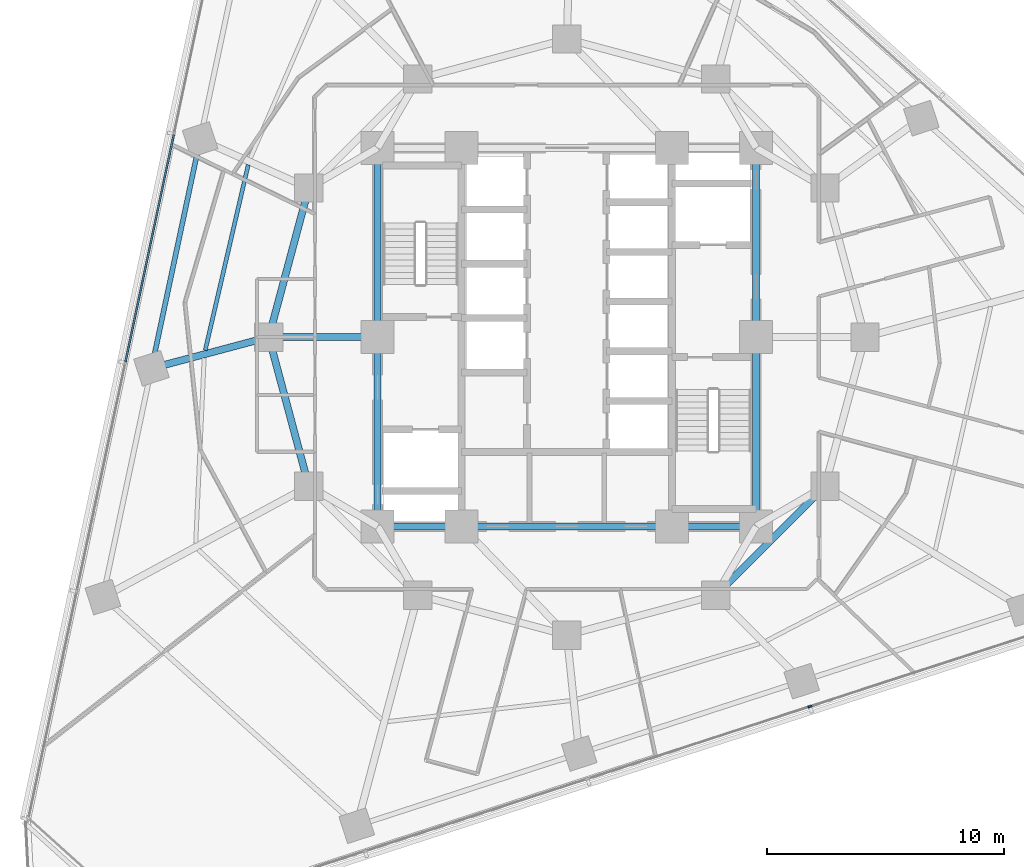
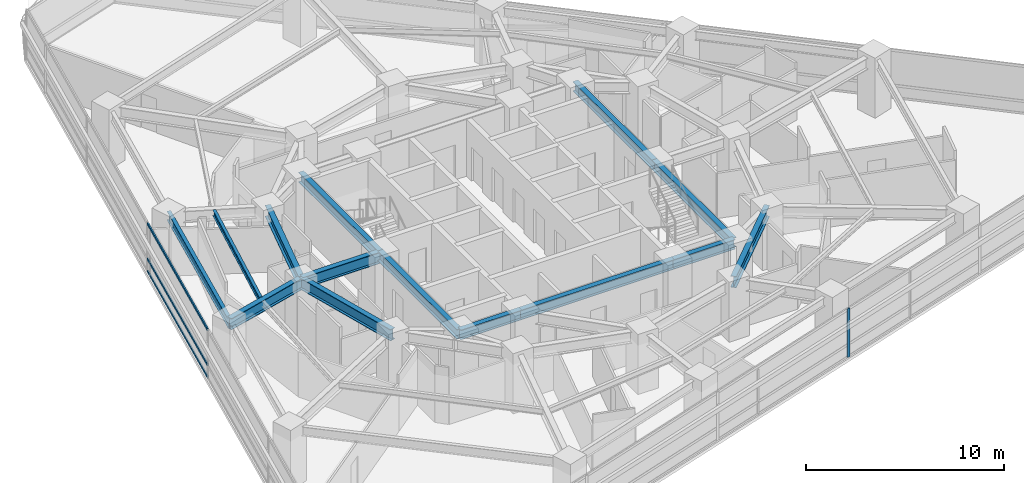
# One storey, part 3 of 13: 14 beams, 4 members, 2 elements without a shape of their own.
"""IFC4 building model written with IfcOpenShell, lengths in metres."""

from ifc_helpers import new_model, si_unit, direction, frame, origin, origin_2d, place, context, subcontext, project, spatial, rectangle, i_section, extrude, material, layer, layer_set, material_profile, profile_set, type_object, element, aggregate, save


model = new_model("IFC4")

# Units and contexts
model_context = context("Model", 3, precision=1e-05, world=origin(), true_north=direction((0.0, 1.0)))
body_context = subcontext(model_context, "Body", "Model", "MODEL_VIEW")
ifc_project = project(units=[si_unit("LENGTHUNIT", "METRE"), si_unit("AREAUNIT", "SQUARE_METRE"), si_unit("VOLUMEUNIT", "CUBIC_METRE"), si_unit("PLANEANGLEUNIT", "RADIAN"), si_unit("MASSUNIT", "GRAM", prefix="KILO")], contexts=[model_context])

# Site, building, storey
site_placement = place(None, origin())
site = spatial("IfcSite", under=ifc_project, at=site_placement, CompositionType="ELEMENT")
building_placement = place(site_placement, origin())
building = spatial("IfcBuilding", under=site, at=building_placement, Name="Terralouvre Media Tower", CompositionType="ELEMENT")
storey_placement = place(building_placement, frame((0.0, 0.0, 108.800048828125)))
storey = spatial("IfcBuildingStorey", under=building, at=storey_placement, Name="L27", CompositionType="ELEMENT", Elevation=108.800048828125)

# Beam
ifc_material_1 = material(Name="Structural steel S355J2", Category="steel")
ifc_material_profile_1 = material_profile(ifc_material_1, i_section(OverallWidth=0.169921875, OverallDepth=0.360107421875, WebThickness=0.008056640625, FlangeThickness=0.0126953125, at=origin_2d()), Name="IPE 360")
ifc_profile_set_1 = profile_set([ifc_material_profile_1], Name="Structural steel S355J2")
beam_type_1 = type_object("IfcBeamType", Name="Composite Floor Joist J-IPE360 (IPE 360)", PredefinedType="JOIST", material=ifc_profile_set_1)
beam_1_placement = place(storey_placement, frame((-13.47216796875, 7.28076171875, 3.320068359375), z_axis=(-0.225820426646, -0.974168945774, 0.0), x_axis=(0.974168945774, -0.225820426646, 0.0)))
element("IfcBeam", 1, at=beam_1_placement, inside=storey, type_object=beam_type_1, Name="L27 Framing Beam JT-L27-12", PredefinedType="JOIST", context=body_context, shape_type="SweptSolid", body=[
    extrude(i_section(OverallWidth=0.169921875, OverallDepth=0.360107421875, WebThickness=0.008056640625, FlangeThickness=0.0126953125, at=origin_2d()), origin(), (0.0, 0.0, 1.0), 8.05224609375),
])

# Curtain wall, members
ifc_material_2 = material(Name="Low-iron laminated double glazing with solar-control coating", Category="glass")
ifc_layer = layer(ifc_material_2, 0.1650390625, Name="Lower Media Tower Unitised Curtain Wall CW-02")
ifc_layer_set = layer_set([ifc_layer], Name="Low-iron laminated double glazing with solar-control coating")
curtain_wall_type = type_object("IfcCurtainWallType", Name="Lower Media Tower Unitised Curtain Wall CW-02", PredefinedType="NOTDEFINED", material=ifc_layer_set)
curtain_wall_1_placement = place(storey_placement, origin())
curtain_wall_1 = element("IfcCurtainWall", 2, at=curtain_wall_1_placement, inside=storey, type_object=curtain_wall_type, Name="L27 Facade Curtain Wall F2", PredefinedType="NOTDEFINED")
ifc_material_3 = material(Name="Anodised extruded aluminium 6063-T6", Category="aluminium")
ifc_material_profile_2 = material_profile(ifc_material_3, rectangle(XDim=0.074951171875, YDim=0.14990234375, at=origin_2d()), Name="ALU 75x150")
ifc_profile_set_2 = profile_set([ifc_material_profile_2], Name="Anodised extruded aluminium 6063-T6")
member_type_1 = type_object("IfcMemberType", Name="Curtain-Wall Horizontal Transom TR-150", PredefinedType="USERDEFINED", material=ifc_profile_set_2)
member_1_placement = place(storey_placement, frame((-16.617919921875, 8.54833984375, 0.037353515625), z_axis=(-0.207914695346, -0.978146962097, 0.0), x_axis=(0.978146962097, -0.207914695346, 0.0)))
member_1 = element("IfcMember", 3, at=member_1_placement, type_object=member_type_1, Name="CW-02 transom 3.1", ObjectType="TRANSOM", PredefinedType="USERDEFINED", context=body_context, shape_type="SweptSolid", body=[
    extrude(rectangle(XDim=0.074951171875, YDim=0.14990234375, at=origin_2d()), origin(), (0.0, 0.0, 1.0), 9.81298828125),
])
member_2_placement = place(storey_placement, frame((-16.617919921875, 8.54833984375, 0.800048828125), z_axis=(-0.207914695346, -0.978146962097, 0.0), x_axis=(0.978146962097, -0.207914695346, 0.0)))
member_2 = element("IfcMember", 4, at=member_2_placement, type_object=member_type_1, Name="CW-02 transom 3.2", ObjectType="TRANSOM", PredefinedType="USERDEFINED", context=body_context, shape_type="SweptSolid", body=[
    extrude(rectangle(XDim=0.074951171875, YDim=0.14990234375, at=origin_2d()), origin(), (0.0, 0.0, 1.0), 9.81298828125),
])
member_3_placement = place(storey_placement, frame((-16.617919921875, 8.54833984375, 2.96240234375), z_axis=(-0.207914695346, -0.978146962097, 0.0), x_axis=(0.978146962097, -0.207914695346, 0.0)))
member_3 = element("IfcMember", 5, at=member_3_placement, type_object=member_type_1, Name="CW-02 transom 3.3", ObjectType="TRANSOM", PredefinedType="USERDEFINED", context=body_context, shape_type="SweptSolid", body=[
    extrude(rectangle(XDim=0.074951171875, YDim=0.14990234375, at=origin_2d()), origin(), (0.0, 0.0, 1.0), 9.81298828125),
])
aggregate(curtain_wall_1, [member_1, member_2, member_3])

# Curtain wall, member
curtain_wall_2_placement = place(storey_placement, origin())
curtain_wall_2 = element("IfcCurtainWall", 6, at=curtain_wall_2_placement, inside=storey, type_object=curtain_wall_type, Name="L27 Facade Curtain Wall F0", PredefinedType="NOTDEFINED")
ifc_material_4 = material(Name="Anodised extruded aluminium 6063-T6", Category="aluminium")
ifc_material_profile_3 = material_profile(ifc_material_4, rectangle(XDim=0.074951171875, YDim=0.179931640625, at=origin_2d()), Name="ALU 75x180")
ifc_profile_set_3 = profile_set([ifc_material_profile_3], Name="Anodised extruded aluminium 6063-T6")
member_type_2 = type_object("IfcMemberType", Name="Curtain-Wall Vertical Mullion ML-180", PredefinedType="MULLION", material=ifc_profile_set_3)
member_4_placement = place(storey_placement, frame((10.274169921875, -15.621826171875, 0.0), z_axis=(0.0, 0.0, 1.0), x_axis=(-0.309017015439, 0.951056509451, 0.0)))
member_4 = element("IfcMember", 7, at=member_4_placement, type_object=member_type_2, Name="CW-02 mullion 4", PredefinedType="MULLION", context=body_context, shape_type="SweptSolid", body=[
    extrude(rectangle(XDim=0.074951171875, YDim=0.179931640625, at=origin_2d()), origin(), (0.0, 0.0, 1.0), 3.0),
])
aggregate(curtain_wall_2, [member_4])

# Beams
ifc_material_5 = material(Name="Structural steel S355J2", Category="steel")
ifc_material_profile_4 = material_profile(ifc_material_5, i_section(OverallWidth=0.2099609375, OverallDepth=0.550048828125, WebThickness=0.010986328125, FlangeThickness=0.01708984375, at=origin_2d()), Name="IPE 550")
ifc_profile_set_4 = profile_set([ifc_material_profile_4], Name="Structural steel S355J2")
beam_type_2 = type_object("IfcBeamType", Name="Perimeter Spandrel Beam SPB-550 (IPE 550)", PredefinedType="SPANDREL", material=ifc_profile_set_4)
beam_2_placement = place(storey_placement, frame((-15.5048828125, 8.35009765625, 3.21484375), z_axis=(-0.207920177572, -0.97814579678, 0.0), x_axis=(0.97814579678, -0.207920177572, 0.0)))
element("IfcBeam", 8, at=beam_2_placement, inside=storey, type_object=beam_type_2, Name="L27 Framing Beam BM-L27-PR12", PredefinedType="SPANDREL", context=body_context, shape_type="SweptSolid", body=[
    extrude(i_section(OverallWidth=0.2099609375, OverallDepth=0.550048828125, WebThickness=0.010986328125, FlangeThickness=0.01708984375, at=origin_2d()), origin(), (0.0, 0.0, 1.0), 9.887939453125),
])
ifc_material_6 = material(Name="Structural steel S460M", Category="steel")
ifc_material_profile_5 = material_profile(ifc_material_6, i_section(OverallWidth=0.300048828125, OverallDepth=0.60009765625, WebThickness=0.015380859375, FlangeThickness=0.030029296875, at=origin_2d()), Name="HEB 600")
ifc_profile_set_5 = profile_set([ifc_material_profile_5], Name="Structural steel S460M")
beam_type_3 = type_object("IfcBeamType", Name="Primary Floor Girder B-HEB600 (HEB 600)", PredefinedType="BEAM", material=ifc_profile_set_5)
beam_3_placement = place(storey_placement, frame((-8.0, -8.0, 3.199951171875), z_axis=(1.0, 0.0, 0.0), x_axis=(0.0, 1.0, 0.0)))
element("IfcBeam", 9, at=beam_3_placement, inside=storey, type_object=beam_type_3, Name="L27 Framing Beam BM-L27-CPR01", PredefinedType="BEAM", context=body_context, shape_type="SweptSolid", body=[
    extrude(i_section(OverallWidth=0.300048828125, OverallDepth=0.60009765625, WebThickness=0.015380859375, FlangeThickness=0.030029296875, at=origin_2d()), origin(), (0.0, 0.0, 1.0), 3.550048828125),
])
beam_4_placement = place(storey_placement, frame((-4.449951171875, -8.0, 3.199951171875), z_axis=(1.0, 0.0, 0.0), x_axis=(0.0, 1.0, 0.0)))
element("IfcBeam", 10, at=beam_4_placement, inside=storey, type_object=beam_type_3, Name="L27 Framing Beam BM-L27-CPR02", PredefinedType="BEAM", context=body_context, shape_type="SweptSolid", body=[
    extrude(i_section(OverallWidth=0.300048828125, OverallDepth=0.60009765625, WebThickness=0.015380859375, FlangeThickness=0.030029296875, at=origin_2d()), origin(), (0.0, 0.0, 1.0), 8.89990234375),
])
beam_5_placement = place(storey_placement, frame((4.449951171875, -8.0, 3.199951171875), z_axis=(1.0, 0.0, 0.0), x_axis=(0.0, 1.0, 0.0)))
element("IfcBeam", 11, at=beam_5_placement, inside=storey, type_object=beam_type_3, Name="L27 Framing Beam BM-L27-CPR03", PredefinedType="BEAM", context=body_context, shape_type="SweptSolid", body=[
    extrude(i_section(OverallWidth=0.300048828125, OverallDepth=0.60009765625, WebThickness=0.015380859375, FlangeThickness=0.030029296875, at=origin_2d()), origin(), (0.0, 0.0, 1.0), 3.550048828125),
])
for number, where, z_axis, x_axis, name in (
    (12, (8.0, -8.0, 3.199951171875), (0.0, 1.0, 0.0), (-1.0, 0.0, 0.0), "L27 Framing Beam BM-L27-CPR04"),
    (13, (8.0, 0.0, 3.199951171875), (0.0, 1.0, 0.0), (-1.0, 0.0, 0.0), "L27 Framing Beam BM-L27-CPR05"),
    (14, (-8.0, 8.0, 3.199951171875), (0.0, -1.0, 0.0), (1.0, 0.0, 0.0), "L27 Framing Beam BM-L27-CPR09"),
    (15, (-8.0, 0.0, 3.199951171875), (0.0, -1.0, 0.0), (1.0, 0.0, 0.0), "L27 Framing Beam BM-L27-CPR10"),
):
    element("IfcBeam", number, at=place(storey_placement, frame(where, z_axis=z_axis, x_axis=x_axis)), inside=storey, type_object=beam_type_3, Name=name, PredefinedType="BEAM", context=body_context, shape_type="SweptSolid", body=[
        extrude(i_section(OverallWidth=0.300048828125, OverallDepth=0.60009765625, WebThickness=0.015380859375, FlangeThickness=0.030029296875, at=origin_2d()), origin(), (0.0, 0.0, 1.0), 8.0),
    ])
ifc_material_7 = material(Name="Structural steel S460M", Category="steel")
ifc_material_profile_6 = material_profile(ifc_material_7, i_section(OverallWidth=0.300048828125, OverallDepth=0.699951171875, WebThickness=0.01708984375, FlangeThickness=0.031982421875, at=origin_2d()), Name="HEB 700")
ifc_profile_set_6 = profile_set([ifc_material_profile_6], Name="Structural steel S460M")
beam_type_4 = type_object("IfcBeamType", Name="Primary Floor Girder B-HEB700 (HEB 700)", PredefinedType="BEAM", material=ifc_profile_set_6)
beam_6_placement = place(storey_placement, frame((6.300048828125, -10.911865234375, 3.14990234375), z_axis=(0.707106781187, 0.707106781187, 0.0), x_axis=(-0.707106781187, 0.707106781187, 0.0)))
element("IfcBeam", 16, at=beam_6_placement, inside=storey, type_object=beam_type_4, Name="L27 Framing Beam BM-L27-MR04", PredefinedType="BEAM", context=body_context, shape_type="SweptSolid", body=[
    extrude(i_section(OverallWidth=0.300048828125, OverallDepth=0.699951171875, WebThickness=0.01708984375, FlangeThickness=0.031982421875, at=origin_2d()), origin(), (0.0, 0.0, 1.0), 6.52197265625),
])
for number, where, z_axis, x_axis, name in (
    (17, (-10.911865234375, 6.300048828125, 3.14990234375), (-0.258838989821, -0.965920481897, 0.0), (0.965920481897, -0.258838989821, 0.0), "L27 Framing Beam BM-L27-MR11"),
    (18, (-12.60009765625, 0.0, 3.14990234375), (0.258838989821, -0.965920481897, 0.0), (0.965920481897, 0.258838989821, 0.0), "L27 Framing Beam BM-L27-MR12"),
):
    element("IfcBeam", number, at=place(storey_placement, frame(where, z_axis=z_axis, x_axis=x_axis)), inside=storey, type_object=beam_type_4, Name=name, PredefinedType="BEAM", context=body_context, shape_type="SweptSolid", body=[
        extrude(i_section(OverallWidth=0.300048828125, OverallDepth=0.699951171875, WebThickness=0.01708984375, FlangeThickness=0.031982421875, at=origin_2d()), origin(), (0.0, 0.0, 1.0), 6.522216796875),
    ])
beam_7_placement = place(storey_placement, frame((-8.0, 0.0, 3.14990234375), z_axis=(-1.0, 0.0, 0.0), x_axis=(0.0, -1.0, 0.0)))
element("IfcBeam", 19, at=beam_7_placement, inside=storey, type_object=beam_type_4, Name="L27 Framing Beam BM-L27-CM12", PredefinedType="BEAM", context=body_context, shape_type="SweptSolid", body=[
    extrude(i_section(OverallWidth=0.300048828125, OverallDepth=0.699951171875, WebThickness=0.01708984375, FlangeThickness=0.031982421875, at=origin_2d()), origin(), (0.0, 0.0, 1.0), 4.60009765625),
])
beam_8_placement = place(storey_placement, frame((-12.60009765625, 0.0, 3.139892578125), z_axis=(-0.966287014212, -0.257467291449, 0.0), x_axis=(0.257467291449, -0.966287014212, 0.0)))
element("IfcBeam", 20, at=beam_8_placement, inside=storey, type_object=beam_type_4, Name="L27 Framing Beam BM-L27-RD01", PredefinedType="BEAM", context=body_context, shape_type="SweptSolid", body=[
    extrude(i_section(OverallWidth=0.300048828125, OverallDepth=0.699951171875, WebThickness=0.01708984375, FlangeThickness=0.031982421875, at=origin_2d()), origin(), (0.0, 0.0, 1.0), 5.1337890625),
])

save(model, "model.ifc")
